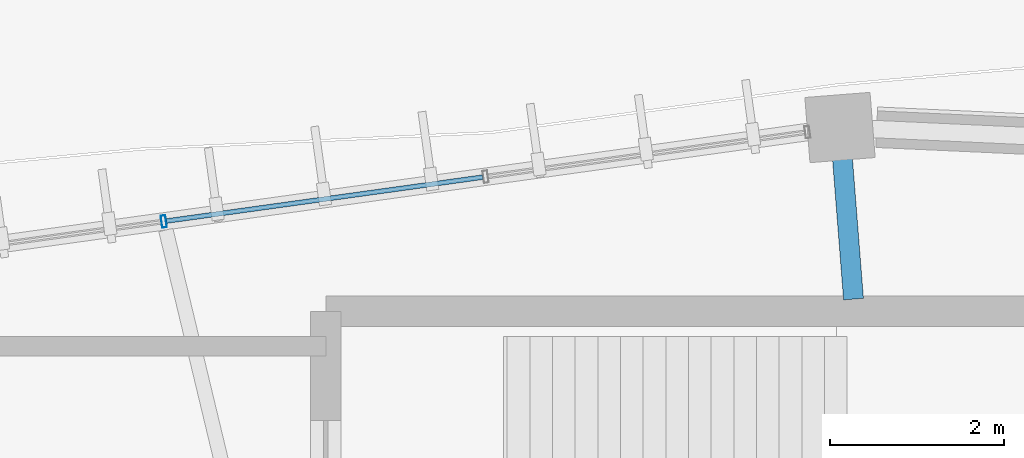
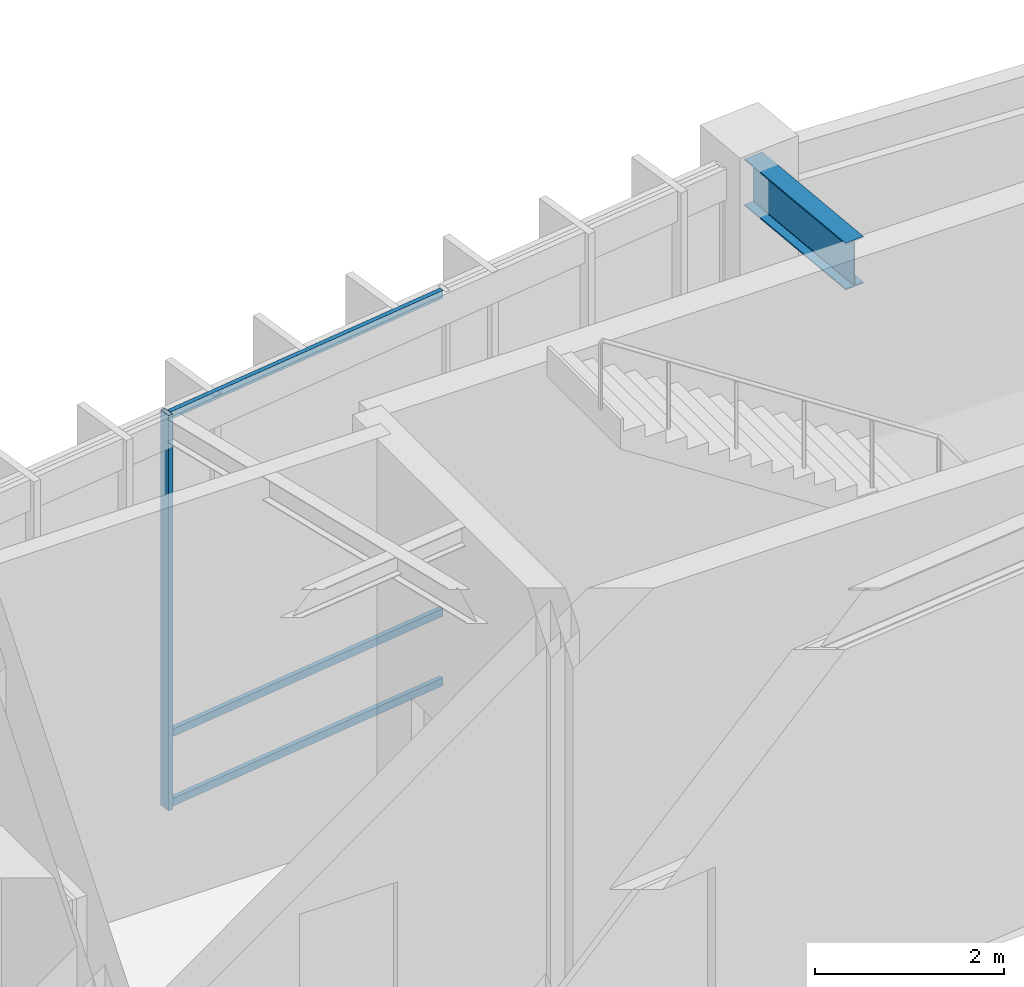
# One storey, part 73 of 157: 4 members, 1 beam, 1 element without a shape of its own.
"""IFC4 building model written with IfcOpenShell, lengths in metres."""

from ifc_helpers import new_model, si_unit, direction, frame, origin, origin_2d, place, context, subcontext, project, spatial, hollow_rectangle, i_section, extrude, material, material_profile, profile_set, type_object, element, aggregate, save


model = new_model("IFC4")

# Units and contexts
model_context = context("Model", 3, precision=1e-05, world=origin(), true_north=direction((0.0, 1.0)))
body_context = subcontext(model_context, "Body", "Model", "MODEL_VIEW")
ifc_project = project(units=[si_unit("LENGTHUNIT", "METRE"), si_unit("AREAUNIT", "SQUARE_METRE"), si_unit("VOLUMEUNIT", "CUBIC_METRE"), si_unit("PLANEANGLEUNIT", "RADIAN"), si_unit("MASSUNIT", "GRAM", prefix="KILO"), si_unit("THERMODYNAMICTEMPERATUREUNIT", "KELVIN"), si_unit("POWERUNIT", "WATT")], contexts=[model_context])

# Site, building, storey
site_placement = place(None, origin())
site = spatial("IfcSite", under=ifc_project, at=site_placement, CompositionType="ELEMENT")
building_placement = place(site_placement, origin())
building = spatial("IfcBuilding", under=site, at=building_placement, Name="Darbajah Civic Hall", CompositionType="ELEMENT")
storey_placement = place(building_placement, origin())
storey = spatial("IfcBuildingStorey", under=building, at=storey_placement, Name="L00", CompositionType="ELEMENT", Elevation=0.0)

# Curtain wall, members
ifc_material_1 = material(Name="Anodised Bronze Aluminium and Low-E Glazing", Category="aluminium")
curtain_wall_type = type_object("IfcCurtainWallType", Name="Unitised Curtain Wall CW-05 14900x5100", PredefinedType="USERDEFINED", material=ifc_material_1)
curtain_wall_placement = place(storey_placement, origin())
curtain_wall = element("IfcCurtainWall", 1, at=curtain_wall_placement, inside=storey, type_object=curtain_wall_type, Name="L00 unitised curtain wall CW-V1O-L00-05", ObjectType="UNITISED CURTAIN WALL", PredefinedType="USERDEFINED")
ifc_material_2 = material(Name="Anodised Bronze Aluminium", Category="aluminium")
ifc_material_profile_1 = material_profile(ifc_material_2, hollow_rectangle(XDim=0.054931640625, YDim=0.139892578125, WallThickness=0.003173828125, at=origin_2d()), Name="ALU MULLION 55x140")
ifc_profile_set_1 = profile_set([ifc_material_profile_1], Name="Anodised Bronze Aluminium")
member_type_1 = type_object("IfcMemberType", Name="ALU MULLION 55x140", PredefinedType="MULLION", material=ifc_profile_set_1)
member_1_placement = place(storey_placement, frame((77.3408203125, 118.1318359375, 0.0), z_axis=(0.0, 0.0, 1.0), x_axis=(-0.990485459553, -0.137617420457, 0.0)))
member_1 = element("IfcMember", 2, at=member_1_placement, type_object=member_type_1, Name="CW-V1O-L00-05 mullion 3", PredefinedType="MULLION", context=body_context, shape_type="SweptSolid", body=[
    extrude(hollow_rectangle(XDim=0.054931640625, YDim=0.139892578125, WallThickness=0.003173828125, at=origin_2d()), origin(), (0.0, 0.0, 1.0), 5.1201171875),
])
ifc_material_profile_2 = material_profile(ifc_material_2, hollow_rectangle(XDim=0.054931640625, YDim=0.10009765625, WallThickness=0.0029296875, at=origin_2d()), Name="ALU TRANSOM 55x100")
ifc_profile_set_2 = profile_set([ifc_material_profile_2], Name="Anodised Bronze Aluminium")
member_type_2 = type_object("IfcMemberType", Name="ALU TRANSOM 55x100", PredefinedType="USERDEFINED", material=ifc_profile_set_2)
member_2_placement = place(storey_placement, frame((81.000732421875, 118.639892578125, 0.050048828125), z_axis=(-0.99049908429, -0.137519322356, 0.0), x_axis=(0.137519322356, -0.99049908429, 0.0)))
member_2 = element("IfcMember", 3, at=member_2_placement, type_object=member_type_2, Name="CW-V1O-L00-05 transom 2.1", ObjectType="TRANSOM", PredefinedType="USERDEFINED", context=body_context, shape_type="SweptSolid", body=[
    extrude(hollow_rectangle(XDim=0.054931640625, YDim=0.10009765625, WallThickness=0.0029296875, at=origin_2d()), origin(), (0.0, 0.0, 1.0), 3.66259765625),
])
member_3_placement = place(storey_placement, frame((81.000732421875, 118.639892578125, 0.949951171875), z_axis=(-0.99049908429, -0.137519322356, 0.0), x_axis=(0.137519322356, -0.99049908429, 0.0)))
member_3 = element("IfcMember", 4, at=member_3_placement, type_object=member_type_2, Name="CW-V1O-L00-05 transom 2.2", ObjectType="TRANSOM", PredefinedType="USERDEFINED", context=body_context, shape_type="SweptSolid", body=[
    extrude(hollow_rectangle(XDim=0.054931640625, YDim=0.10009765625, WallThickness=0.0029296875, at=origin_2d()), origin(), (0.0, 0.0, 1.0), 3.66259765625),
])
member_4_placement = place(storey_placement, frame((81.000732421875, 118.639892578125, 5.070068359375), z_axis=(-0.99049908429, -0.137519322356, 0.0), x_axis=(0.137519322356, -0.99049908429, 0.0)))
member_4 = element("IfcMember", 5, at=member_4_placement, type_object=member_type_2, Name="CW-V1O-L00-05 transom 2.3", ObjectType="TRANSOM", PredefinedType="USERDEFINED", context=body_context, shape_type="SweptSolid", body=[
    extrude(hollow_rectangle(XDim=0.054931640625, YDim=0.10009765625, WallThickness=0.0029296875, at=origin_2d()), origin(), (0.0, 0.0, 1.0), 3.66259765625),
])
aggregate(curtain_wall, [member_1, member_2, member_3, member_4])

# Beam
ifc_material_3 = material(Name="Steel S355JR", Category="steel")
ifc_material_profile_3 = material_profile(ifc_material_3, i_section(OverallWidth=0.228271484375, OverallDepth=0.607666015625, WebThickness=0.010986328125, FlangeThickness=0.017333984375, FilletRadius=0.0126953125, at=origin_2d()), Name="UB 610x229x113")
ifc_profile_set_3 = profile_set([ifc_material_profile_3], Name="Steel S355JR")
beam_type = type_object("IfcBeamType", Name="UB 610x229x113", PredefinedType="BEAM", material=ifc_profile_set_3)
beam_placement = place(storey_placement, frame((85.253662109375, 117.239990234375, 4.816162109375), z_axis=(-0.078449812785, 0.996918064273, 0.0), x_axis=(-0.996918064273, -0.078449812785, 0.0)))
element("IfcBeam", 6, at=beam_placement, inside=storey, type_object=beam_type, Name="L00 beam SB-610", PredefinedType="BEAM", context=body_context, shape_type="SweptSolid", body=[
    extrude(i_section(OverallWidth=0.228271484375, OverallDepth=0.607666015625, WebThickness=0.010986328125, FlangeThickness=0.017333984375, FilletRadius=0.0126953125, at=origin_2d()), origin(), (0.0, 0.0, 1.0), 1.895263671875),
])

save(model, "model.ifc")
